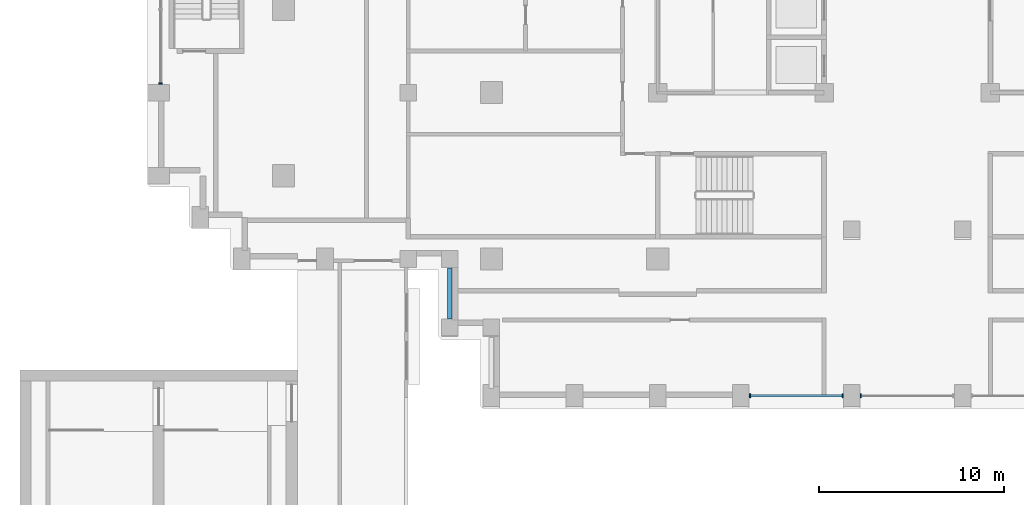
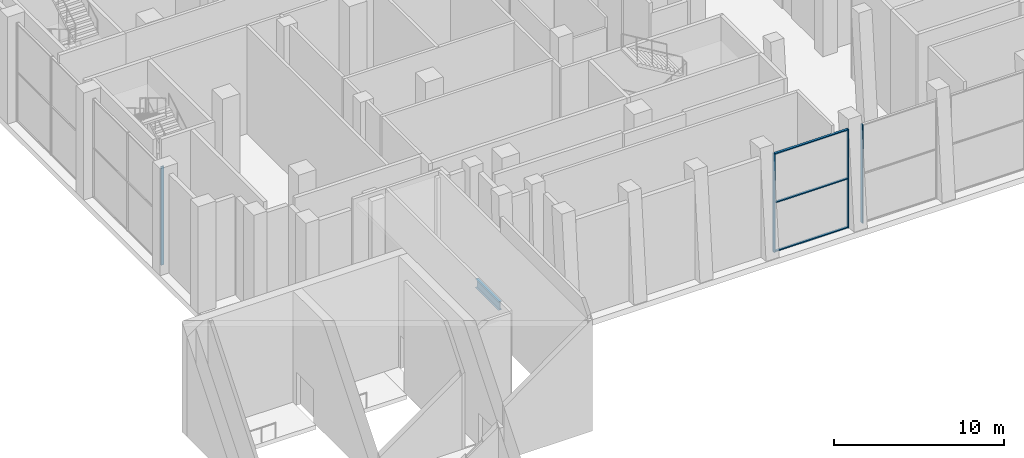
# One storey, part 2 of 24: 7 members, 1 beam, 3 elements without a shape of their own.
"""IFC4 building model written with IfcOpenShell, lengths in metres."""

from ifc_helpers import new_model, si_unit, direction, frame, origin, origin_2d, place, context, subcontext, project, spatial, rectangle, i_section, extrude, material, layer, layer_set, material_profile, profile_set, type_object, element, aggregate, save


model = new_model("IFC4")

# Units and contexts
model_context = context("Model", 3, precision=1e-05, world=origin(), true_north=direction((0.0, 1.0)))
body_context = subcontext(model_context, "Body", "Model", "MODEL_VIEW")
ifc_project = project(units=[si_unit("LENGTHUNIT", "METRE"), si_unit("AREAUNIT", "SQUARE_METRE"), si_unit("VOLUMEUNIT", "CUBIC_METRE"), si_unit("PLANEANGLEUNIT", "RADIAN"), si_unit("MASSUNIT", "GRAM", prefix="KILO")], contexts=[model_context])

# Site, building, storey
site_placement = place(None, origin())
site = spatial("IfcSite", under=ifc_project, at=site_placement, CompositionType="ELEMENT")
building_placement = place(site_placement, origin())
building = spatial("IfcBuilding", under=site, at=building_placement, Name="Corbelhall Arena Tower", CompositionType="ELEMENT")
storey_placement = place(building_placement, frame((0.0, 0.0, 60.0)))
storey = spatial("IfcBuildingStorey", under=building, at=storey_placement, Name="L08", CompositionType="ELEMENT", Elevation=60.0)

# Curtain wall, member
ifc_material_1 = material(Name="Aluminium black anodised", Category="aluminium")
ifc_layer = layer(ifc_material_1, 0.260009765625)
ifc_layer_set = layer_set([ifc_layer], Name="EV-CW6 Ground lobby glazing")
curtain_wall_type = type_object("IfcCurtainWallType", Name="EV-CW6 Ground lobby glazing", PredefinedType="NOTDEFINED", material=ifc_layer_set)
curtain_wall_1_placement = place(storey_placement, origin())
curtain_wall_1 = element("IfcCurtainWall", 1, at=curtain_wall_1_placement, inside=storey, type_object=curtain_wall_type, Name="Curtain wall CW6A", PredefinedType="NOTDEFINED")
ifc_material_profile_1 = material_profile(ifc_material_1, rectangle(XDim=0.199951171875, YDim=0.074951171875, at=origin_2d()))
ifc_profile_set_1 = profile_set([ifc_material_profile_1], Name="Aluminium black anodised")
member_type_1 = type_object("IfcMemberType", Name="EV-CW6-MULLION", PredefinedType="MULLION", material=ifc_profile_set_1)
member_1_placement = place(storey_placement, frame((-40.39990234375, -8.512451171875, 0.0), z_axis=(0.0, 0.0, 1.0), x_axis=(1.0, 0.0, 0.0)))
member_1 = element("IfcMember", 2, at=member_1_placement, type_object=member_type_1, Name="CW6A mullion 3", PredefinedType="MULLION", context=body_context, shape_type="SweptSolid", body=[
    extrude(rectangle(XDim=0.199951171875, YDim=0.074951171875, at=origin_2d()), origin(), (0.0, 0.0, 1.0), 7.10009765625),
])
aggregate(curtain_wall_1, [member_1])

# Curtain wall, members
curtain_wall_2_placement = place(storey_placement, origin())
curtain_wall_2 = element("IfcCurtainWall", 3, at=curtain_wall_2_placement, inside=storey, type_object=curtain_wall_type, Name="Curtain wall CW6", PredefinedType="NOTDEFINED")
member_2_placement = place(storey_placement, frame((-8.512451171875, -25.39990234375, 0.0), z_axis=(0.0, 0.0, 1.0), x_axis=(0.0, 1.0, 0.0)))
member_2 = element("IfcMember", 4, at=member_2_placement, type_object=member_type_1, Name="CW6 mullion 1", PredefinedType="MULLION", context=body_context, shape_type="SweptSolid", body=[
    extrude(rectangle(XDim=0.199951171875, YDim=0.074951171875, at=origin_2d()), origin(), (0.0, 0.0, 1.0), 7.10009765625),
])
member_3_placement = place(storey_placement, frame((-3.487548828125, -25.39990234375, 0.0), z_axis=(0.0, 0.0, 1.0), x_axis=(0.0, 1.0, 0.0)))
member_3 = element("IfcMember", 5, at=member_3_placement, type_object=member_type_1, Name="CW6 mullion 2", PredefinedType="MULLION", context=body_context, shape_type="SweptSolid", body=[
    extrude(rectangle(XDim=0.199951171875, YDim=0.074951171875, at=origin_2d()), origin(), (0.0, 0.0, 1.0), 7.10009765625),
])

# Curtain wall, member
curtain_wall_3_placement = place(storey_placement, origin())
curtain_wall_3 = element("IfcCurtainWall", 6, at=curtain_wall_3_placement, inside=storey, type_object=curtain_wall_type, Name="Curtain wall CW6", PredefinedType="NOTDEFINED")
member_4_placement = place(storey_placement, frame((-2.512451171875, -25.39990234375, 0.0), z_axis=(0.0, 0.0, 1.0), x_axis=(0.0, 1.0, 0.0)))
member_4 = element("IfcMember", 7, at=member_4_placement, type_object=member_type_1, Name="CW6 mullion 1", PredefinedType="MULLION", context=body_context, shape_type="SweptSolid", body=[
    extrude(rectangle(XDim=0.199951171875, YDim=0.074951171875, at=origin_2d()), origin(), (0.0, 0.0, 1.0), 7.10009765625),
])
aggregate(curtain_wall_3, [member_4])

# Member
ifc_material_profile_2 = material_profile(ifc_material_1, rectangle(XDim=0.14990234375, YDim=0.074951171875, at=origin_2d()))
ifc_profile_set_2 = profile_set([ifc_material_profile_2], Name="Aluminium black anodised")
member_type_2 = type_object("IfcMemberType", Name="EV-CW6-TRANSOM", PredefinedType="USERDEFINED", material=ifc_profile_set_2)
member_5_placement = place(storey_placement, frame((-8.47509765625, -25.39990234375, 0.03759765625), z_axis=(1.0, 0.0, 0.0), x_axis=(0.0, 1.0, 0.0)))
member_5 = element("IfcMember", 8, at=member_5_placement, type_object=member_type_2, Name="CW6 transom 1.1", ObjectType="transom", PredefinedType="USERDEFINED", context=body_context, shape_type="SweptSolid", body=[
    extrude(rectangle(XDim=0.14990234375, YDim=0.074951171875, at=origin_2d()), origin(), (0.0, 0.0, 1.0), 4.9501953125),
])

member_6_placement = place(storey_placement, frame((-8.47509765625, -25.39990234375, 3.550048828125), z_axis=(1.0, 0.0, 0.0), x_axis=(0.0, 1.0, 0.0)))
member_6 = element("IfcMember", 9, at=member_6_placement, type_object=member_type_2, Name="CW6 transom 1.2", ObjectType="transom", PredefinedType="USERDEFINED", context=body_context, shape_type="SweptSolid", body=[
    extrude(rectangle(XDim=0.14990234375, YDim=0.074951171875, at=origin_2d()), origin(), (0.0, 0.0, 1.0), 4.9501953125),
])

member_7_placement = place(storey_placement, frame((-8.47509765625, -25.39990234375, 7.0625), z_axis=(1.0, 0.0, 0.0), x_axis=(0.0, 1.0, 0.0)))
member_7 = element("IfcMember", 10, at=member_7_placement, type_object=member_type_2, Name="CW6 transom 1.3", ObjectType="transom", PredefinedType="USERDEFINED", context=body_context, shape_type="SweptSolid", body=[
    extrude(rectangle(XDim=0.14990234375, YDim=0.074951171875, at=origin_2d()), origin(), (0.0, 0.0, 1.0), 4.9501953125),
])

aggregate(curtain_wall_2, [member_2, member_3, member_5, member_6, member_7])

# Beam
ifc_material_2 = material(Name="Steel ASTM A992 Gr50", Category="steel")
ifc_material_profile_3 = material_profile(ifc_material_2, i_section(OverallWidth=0.23046875, OverallDepth=0.6171875, WebThickness=0.01318359375, FlangeThickness=0.022216796875, at=origin_2d()))
ifc_profile_set_3 = profile_set([ifc_material_profile_3], Name="Steel ASTM A992 Gr50")
beam_type = type_object("IfcBeamType", Name="ST-SPANDREL-W24x94", PredefinedType="SPANDREL", material=ifc_profile_set_3)
beam_placement = place(storey_placement, frame((-24.75, -21.25, -0.718505859375), z_axis=(0.0, 1.0, 0.0), x_axis=(-1.0, 0.0, 0.0)))
element("IfcBeam", 11, at=beam_placement, inside=storey, type_object=beam_type, Name="Beam SP 49", PredefinedType="SPANDREL", context=body_context, shape_type="SweptSolid", body=[
    extrude(i_section(OverallWidth=0.23046875, OverallDepth=0.6171875, WebThickness=0.01318359375, FlangeThickness=0.022216796875, at=origin_2d()), origin(), (0.0, 0.0, 1.0), 2.75),
])

save(model, "model.ifc")
